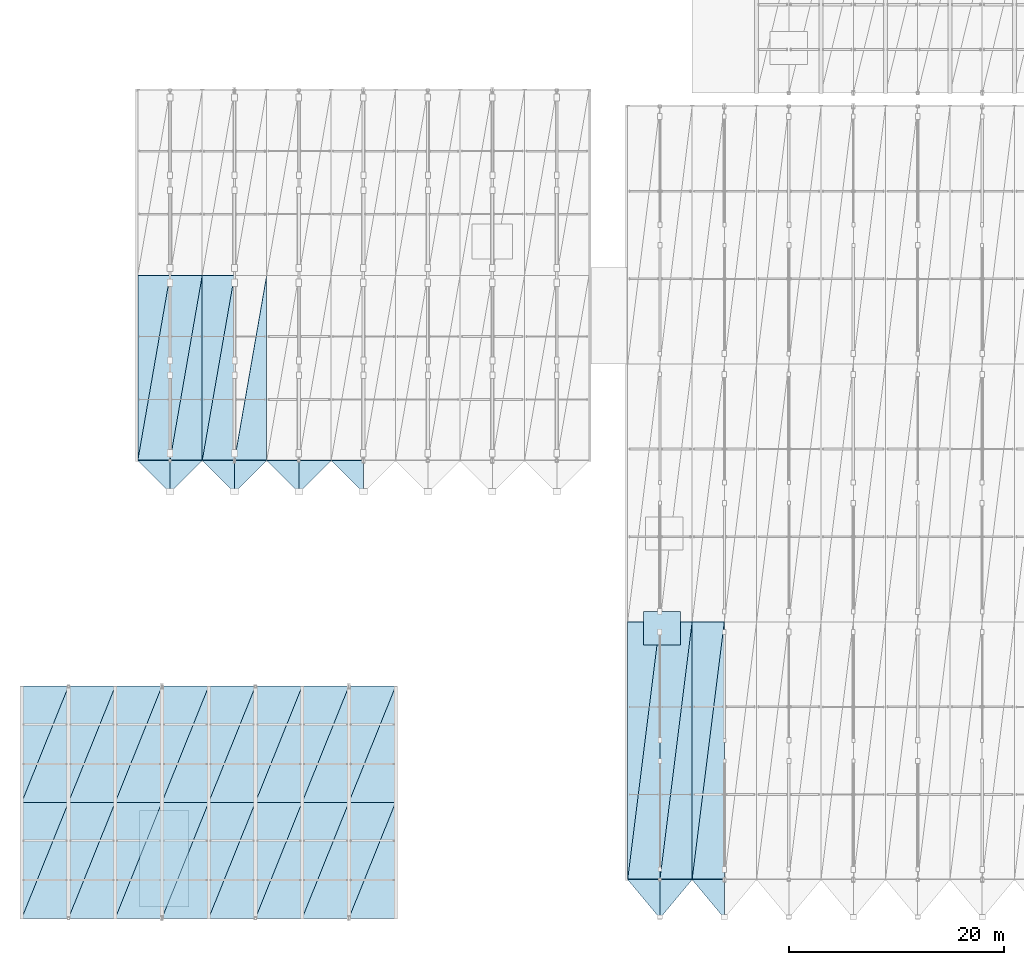
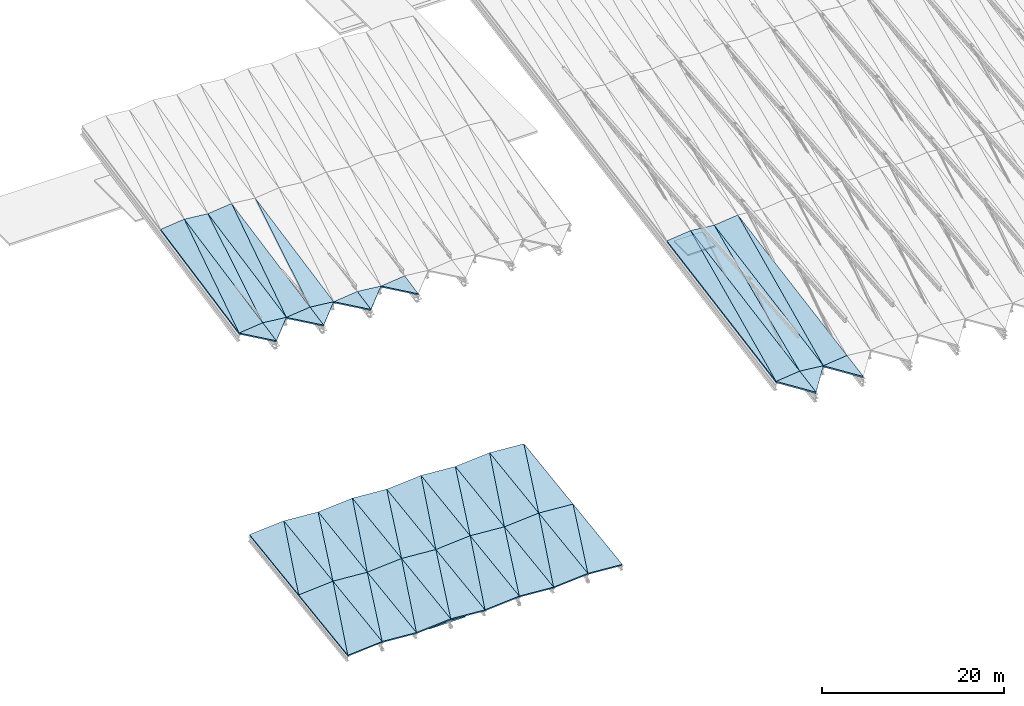
# One storey, part 18 of 52: 57 slabs.
"""IFC4 building model written with IfcOpenShell, lengths in metres."""

from ifc_helpers import new_model, si_unit, direction, frame, origin, place, context, subcontext, project, spatial, polyline, outline, extrude, material, layer, layer_set, type_object, element, save


model = new_model("IFC4")

# Units and contexts
model_context = context("Model", 3, precision=1e-05, world=origin(), true_north=direction((0.0, 1.0)))
body_context = subcontext(model_context, "Body", "Model", "MODEL_VIEW")
ifc_project = project(units=[si_unit("LENGTHUNIT", "METRE"), si_unit("AREAUNIT", "SQUARE_METRE"), si_unit("VOLUMEUNIT", "CUBIC_METRE"), si_unit("PLANEANGLEUNIT", "RADIAN"), si_unit("MASSUNIT", "GRAM", prefix="KILO")], contexts=[model_context])

# Site, building, storey
site_placement = place(None, origin())
site = spatial("IfcSite", under=ifc_project, at=site_placement, CompositionType="ELEMENT")
building_placement = place(site_placement, origin())
building = spatial("IfcBuilding", under=site, at=building_placement, Name="Vaelkrest Opera House", CompositionType="ELEMENT")
storey_placement = place(building_placement, frame((0.0, 0.0, 41.39990234375)))
storey = spatial("IfcBuildingStorey", under=building, at=storey_placement, Name="ROOF", CompositionType="ELEMENT", Elevation=41.39990234375)

# Slabs
ifc_material = material(Name="Concrete C40/50", Category="concrete")
ifc_layer_1 = layer(ifc_material, 0.235107421875)
ifc_layer_set_1 = layer_set([ifc_layer_1], Name="Concrete C40/50")
slab_type_1 = type_object("IfcSlabType", Name="RS01", PredefinedType="ROOF", material=ifc_layer_set_1)
slab_1_placement = place(storey_placement, frame((-30.0, -55.800048828125, -16.199951171875), z_axis=(-0.105708050026, -0.175125083638, 0.978854950052), x_axis=(0.638711635196, -0.766422775144, -0.068143795064)))
element("IfcSlab", 1, at=slab_1_placement, inside=storey, type_object=slab_type_1, Name="Sawtooth eave facet V1 bay 1W", PredefinedType="ROOF", context=body_context, shape_type="SweptSolid", body=[
    extrude(outline(polyline([(0.0, 0.0), (4.696955299833145, -8.326672684688674e-17), (1.8940580462015932, 2.3489367094791396), (0.0, 0.0)])), origin(), (0.0, 0.0, -1.0), 0.235107421875),
])
slab_2_placement = place(storey_placement, frame((-27.0, -55.800048828125, -15.8759765625), z_axis=(0.105708050026, -0.175125083638, 0.978854950052), x_axis=(0.0, -0.984370170934, -0.176111801351)))
element("IfcSlab", 2, at=slab_2_placement, inside=storey, type_object=slab_type_1, Name="Sawtooth eave facet V1 bay 1E", PredefinedType="ROOF", context=body_context, shape_type="SweptSolid", body=[
    extrude(outline(polyline([(0.0, 0.0), (3.657011987887651, 0.0), (0.05705575204909795, 3.0169030790991282), (0.0, 0.0)])), origin(), (0.0, 0.0, -1.0), 0.235107421875),
])
slab_3_placement = place(storey_placement, frame((-30.0, -55.800048828125, -16.199951171875), z_axis=(-0.105709410569, -0.175053827978, 0.978867548664), x_axis=(0.994219425712, 0.0, 0.107367283359)))
element("IfcSlab", 3, at=slab_3_placement, inside=storey, type_object=slab_type_1, Name="Pleated roof facet V1 1-1WL", PredefinedType="ROOF", context=body_context, shape_type="SweptSolid", body=[
    extrude(outline(polyline([(0.0, 0.0), (3.0174425508234095, 0.0), (3.4782620921950986, 24.376399288817268), (0.0, 0.0)])), origin(), (0.0, 0.0, -1.0), 0.235107421875),
])
slab_4_placement = place(storey_placement, frame((-30.0, -55.800048828125, -16.199951171875), z_axis=(-0.105709410569, -0.175053827978, 0.978867548664), x_axis=(0.121835797394, 0.974686379149, 0.187463331813)))
element("IfcSlab", 4, at=slab_4_placement, inside=storey, type_object=slab_type_1, Name="Pleated roof facet V1 1-1WU", PredefinedType="ROOF", context=body_context, shape_type="SweptSolid", body=[
    extrude(outline(polyline([(0.0, 0.0), (24.623305007042667, 4.440892098500626e-16), (24.197064255165383, 2.9871856937523606), (0.0, 0.0)])), origin(), (0.0, 0.0, -1.0), 0.235107421875),
])
slab_5_placement = place(storey_placement, frame((-27.0, -55.800048828125, -15.8759765625), z_axis=(0.105709410569, -0.175053827978, 0.978867548664), x_axis=(0.994219425712, 0.0, -0.107367283359)))
element("IfcSlab", 5, at=slab_5_placement, inside=storey, type_object=slab_type_1, Name="Pleated roof facet V1 1-1EL", PredefinedType="ROOF", context=body_context, shape_type="SweptSolid", body=[
    extrude(outline(polyline([(0.0, 0.0), (3.0174425508234095, 0.0), (2.55662300945172, 24.376399288817264), (0.0, 0.0)])), origin(), (0.0, 0.0, -1.0), 0.235107421875),
])
slab_6_placement = place(storey_placement, frame((-27.0, -55.800048828125, -15.8759765625), z_axis=(0.105709410569, -0.175053827978, 0.978867548664), x_axis=(0.122398504974, 0.979188039796, 0.161893139758)))
element("IfcSlab", 6, at=slab_6_placement, inside=storey, type_object=slab_type_1, Name="Pleated roof facet V1 1-1EU", PredefinedType="ROOF", context=body_context, shape_type="SweptSolid", body=[
    extrude(outline(polyline([(0.0, 0.0), (24.51010329436229, -3.3306690738754696e-16), (24.195357046152544, 3.0009822303301914), (0.0, 0.0)])), origin(), (0.0, 0.0, -1.0), 0.235107421875),
])
slab_7_placement = place(storey_placement, frame((-24.0, -55.800048828125, -16.199951171875), z_axis=(-0.105708050026, -0.175125083638, 0.978854950052), x_axis=(0.638711635196, -0.766422775144, -0.068143795064)))
element("IfcSlab", 7, at=slab_7_placement, inside=storey, type_object=slab_type_1, Name="Sawtooth eave facet V1 bay 2W", PredefinedType="ROOF", context=body_context, shape_type="SweptSolid", body=[
    extrude(outline(polyline([(0.0, 0.0), (4.696955299833145, -8.326672684688674e-17), (1.8940580462015932, 2.3489367094791396), (0.0, 0.0)])), origin(), (0.0, 0.0, -1.0), 0.235107421875),
])
slab_8_placement = place(storey_placement, frame((-24.0, -55.800048828125, -16.199951171875), z_axis=(-0.105709410569, -0.175053827978, 0.978867548664), x_axis=(0.994219425712, 0.0, 0.107367283359)))
element("IfcSlab", 8, at=slab_8_placement, inside=storey, type_object=slab_type_1, Name="Pleated roof facet V1 2-1WL", PredefinedType="ROOF", context=body_context, shape_type="SweptSolid", body=[
    extrude(outline(polyline([(0.0, 0.0), (3.0174425508234095, 0.0), (3.4782620921950986, 24.376399288817268), (0.0, 0.0)])), origin(), (0.0, 0.0, -1.0), 0.235107421875),
])
slab_9_placement = place(storey_placement, frame((-24.0, -55.800048828125, -16.199951171875), z_axis=(-0.105709410569, -0.175053827978, 0.978867548664), x_axis=(0.121835797394, 0.974686379149, 0.187463331813)))
element("IfcSlab", 9, at=slab_9_placement, inside=storey, type_object=slab_type_1, Name="Pleated roof facet V1 2-1WU", PredefinedType="ROOF", context=body_context, shape_type="SweptSolid", body=[
    extrude(outline(polyline([(0.0, 0.0), (24.623305007042667, 4.440892098500626e-16), (24.197064255165383, 2.9871856937523606), (0.0, 0.0)])), origin(), (0.0, 0.0, -1.0), 0.235107421875),
])
ifc_layer_2 = layer(ifc_material, 0.215087890625)
ifc_layer_set_2 = layer_set([ifc_layer_2], Name="Concrete C40/50")
slab_type_2 = type_object("IfcSlabType", Name="RS02", PredefinedType="ROOF", material=ifc_layer_set_2)
slab_10_placement = place(storey_placement, frame((-75.60009765625, -16.800048828125, -17.39990234375), z_axis=(-0.105319624978, -0.194369074281, 0.97525813996), x_axis=(0.70563753999, -0.70563753999, -0.064430771474)))
element("IfcSlab", 10, at=slab_10_placement, inside=storey, type_object=slab_type_2, Name="Sawtooth eave facet V3 bay 1W", PredefinedType="ROOF", context=body_context, shape_type="SweptSolid", body=[
    extrude(outline(polyline([(0.0, 0.0), (4.251474489354655, -2.8449465006019636e-16), (2.0960386859511555, 2.170617740302479), (0.0, 0.0)])), origin(), (0.0, 0.0, -1.0), 0.215087890625),
])
slab_11_placement = place(storey_placement, frame((-72.60009765625, -16.800048828125, -17.075927734375), z_axis=(0.105319624978, -0.194369074281, 0.97525813996), x_axis=(0.0, -0.980712448023, -0.195456118588)))
element("IfcSlab", 11, at=slab_11_placement, inside=storey, type_object=slab_type_2, Name="Sawtooth eave facet V3 bay 1E", PredefinedType="ROOF", context=body_context, shape_type="SweptSolid", body=[
    extrude(outline(polyline([(0.0, 0.0), (3.059000633721662, -6.938893903907228e-18), (0.06332281966945137, 3.016778044210213), (0.0, 0.0)])), origin(), (0.0, 0.0, -1.0), 0.215087890625),
])
slab_12_placement = place(storey_placement, frame((-75.60009765625, -16.800048828125, -17.39990234375), z_axis=(-0.105319554338, -0.194372394638, 0.975257485835), x_axis=(0.994219425712, 0.0, 0.107367283359)))
element("IfcSlab", 12, at=slab_12_placement, inside=storey, type_object=slab_type_2, Name="Pleated roof facet V3 1-1WL", PredefinedType="ROOF", context=body_context, shape_type="SweptSolid", body=[
    extrude(outline(polyline([(0.0, 0.0), (3.0174425508234095, 1.3877787807814457e-17), (3.3865700128027116, 17.585391901769633), (0.0, 0.0)])), origin(), (0.0, 0.0, -1.0), 0.215087890625),
])
slab_13_placement = place(storey_placement, frame((-75.60009765625, -16.800048828125, -17.39990234375), z_axis=(-0.105319554338, -0.194372394638, 0.975257485835), x_axis=(0.167518088972, 0.963229011591, 0.210065611408)))
element("IfcSlab", 13, at=slab_13_placement, inside=storey, type_object=slab_type_2, Name="Pleated roof facet V3 1-1WU", PredefinedType="ROOF", context=body_context, shape_type="SweptSolid", body=[
    extrude(outline(polyline([(0.0, 0.0), (17.90851375157748, 1.1102230246251565e-16), (17.337903560261445, 2.962999081519595), (0.0, 0.0)])), origin(), (0.0, 0.0, -1.0), 0.215087890625),
])
slab_14_placement = place(storey_placement, frame((-72.60009765625, -16.800048828125, -17.075927734375), z_axis=(0.105319554338, -0.194372394638, 0.975257485835), x_axis=(0.994219425712, 0.0, -0.107367283359)))
element("IfcSlab", 14, at=slab_14_placement, inside=storey, type_object=slab_type_2, Name="Pleated roof facet V3 1-1EL", PredefinedType="ROOF", context=body_context, shape_type="SweptSolid", body=[
    extrude(outline(polyline([(0.0, 0.0), (3.0174425508234095, -1.3877787807814457e-17), (2.6483150888441074, 17.585391901769633), (0.0, 0.0)])), origin(), (0.0, 0.0, -1.0), 0.215087890625),
])
slab_15_placement = place(storey_placement, frame((-72.60009765625, -16.800048828125, -17.075927734375), z_axis=(0.105319554338, -0.194372394638, 0.975257485835), x_axis=(0.168693911768, 0.969989992668, 0.175105049203)))
element("IfcSlab", 15, at=slab_15_placement, inside=storey, type_object=slab_type_2, Name="Pleated roof facet V3 1-1EU", PredefinedType="ROOF", context=body_context, shape_type="SweptSolid", body=[
    extrude(outline(polyline([(0.0, 0.0), (17.78368862605912, -1.1102230246251565e-16), (17.334336480669204, 2.9837966078392753), (0.0, 0.0)])), origin(), (0.0, 0.0, -1.0), 0.215087890625),
])
slab_16_placement = place(storey_placement, frame((-69.60009765625, -16.800048828125, -17.39990234375), z_axis=(-0.105319624978, -0.194369074281, 0.97525813996), x_axis=(0.70563753999, -0.70563753999, -0.064430771474)))
element("IfcSlab", 16, at=slab_16_placement, inside=storey, type_object=slab_type_2, Name="Sawtooth eave facet V3 bay 2W", PredefinedType="ROOF", context=body_context, shape_type="SweptSolid", body=[
    extrude(outline(polyline([(0.0, 0.0), (4.251474489354655, -2.8449465006019636e-16), (2.0960386859511555, 2.170617740302479), (0.0, 0.0)])), origin(), (0.0, 0.0, -1.0), 0.215087890625),
])
slab_17_placement = place(storey_placement, frame((-66.60009765625, -16.800048828125, -17.075927734375), z_axis=(0.105319624978, -0.194369074281, 0.97525813996), x_axis=(0.0, -0.980712448023, -0.195456118588)))
element("IfcSlab", 17, at=slab_17_placement, inside=storey, type_object=slab_type_2, Name="Sawtooth eave facet V3 bay 2E", PredefinedType="ROOF", context=body_context, shape_type="SweptSolid", body=[
    extrude(outline(polyline([(0.0, 0.0), (3.059000633721662, -6.938893903907228e-18), (0.06332281966945137, 3.016778044210213), (0.0, 0.0)])), origin(), (0.0, 0.0, -1.0), 0.215087890625),
])
slab_18_placement = place(storey_placement, frame((-69.60009765625, -16.800048828125, -17.39990234375), z_axis=(-0.105319554338, -0.194372394638, 0.975257485835), x_axis=(0.994219425712, 0.0, 0.107367283359)))
element("IfcSlab", 18, at=slab_18_placement, inside=storey, type_object=slab_type_2, Name="Pleated roof facet V3 2-1WL", PredefinedType="ROOF", context=body_context, shape_type="SweptSolid", body=[
    extrude(outline(polyline([(0.0, 0.0), (3.0174425508234095, 1.3877787807814457e-17), (3.3865700128027116, 17.585391901769633), (0.0, 0.0)])), origin(), (0.0, 0.0, -1.0), 0.215087890625),
])
slab_19_placement = place(storey_placement, frame((-69.60009765625, -16.800048828125, -17.39990234375), z_axis=(-0.105319554338, -0.194372394638, 0.975257485835), x_axis=(0.167518088972, 0.963229011591, 0.210065611408)))
element("IfcSlab", 19, at=slab_19_placement, inside=storey, type_object=slab_type_2, Name="Pleated roof facet V3 2-1WU", PredefinedType="ROOF", context=body_context, shape_type="SweptSolid", body=[
    extrude(outline(polyline([(0.0, 0.0), (17.90851375157748, 1.1102230246251565e-16), (17.337903560261445, 2.962999081519595), (0.0, 0.0)])), origin(), (0.0, 0.0, -1.0), 0.215087890625),
])
slab_20_placement = place(storey_placement, frame((-66.60009765625, -16.800048828125, -17.075927734375), z_axis=(0.105319554338, -0.194372394638, 0.975257485835), x_axis=(0.994219425712, 0.0, -0.107367283359)))
element("IfcSlab", 20, at=slab_20_placement, inside=storey, type_object=slab_type_2, Name="Pleated roof facet V3 2-1EL", PredefinedType="ROOF", context=body_context, shape_type="SweptSolid", body=[
    extrude(outline(polyline([(0.0, 0.0), (3.0174425508234095, -1.3877787807814457e-17), (2.6483150888441074, 17.585391901769633), (0.0, 0.0)])), origin(), (0.0, 0.0, -1.0), 0.215087890625),
])
slab_21_placement = place(storey_placement, frame((-63.60009765625, -16.800048828125, -17.39990234375), z_axis=(-0.105319624978, -0.194369074281, 0.97525813996), x_axis=(0.70563753999, -0.70563753999, -0.064430771474)))
element("IfcSlab", 21, at=slab_21_placement, inside=storey, type_object=slab_type_2, Name="Sawtooth eave facet V3 bay 3W", PredefinedType="ROOF", context=body_context, shape_type="SweptSolid", body=[
    extrude(outline(polyline([(0.0, 0.0), (4.251474489354655, -2.8449465006019636e-16), (2.0960386859511555, 2.170617740302479), (0.0, 0.0)])), origin(), (0.0, 0.0, -1.0), 0.215087890625),
])
slab_22_placement = place(storey_placement, frame((-60.60009765625, -16.800048828125, -17.075927734375), z_axis=(0.105319624978, -0.194369074281, 0.97525813996), x_axis=(0.0, -0.980712448023, -0.195456118588)))
element("IfcSlab", 22, at=slab_22_placement, inside=storey, type_object=slab_type_2, Name="Sawtooth eave facet V3 bay 3E", PredefinedType="ROOF", context=body_context, shape_type="SweptSolid", body=[
    extrude(outline(polyline([(0.0, 0.0), (3.059000633721662, -6.938893903907228e-18), (0.06332281966945137, 3.016778044210213), (0.0, 0.0)])), origin(), (0.0, 0.0, -1.0), 0.215087890625),
])
slab_23_placement = place(storey_placement, frame((-57.60009765625, -16.800048828125, -17.39990234375), z_axis=(-0.105319624978, -0.194369074281, 0.97525813996), x_axis=(0.70563753999, -0.70563753999, -0.064430771474)))
element("IfcSlab", 23, at=slab_23_placement, inside=storey, type_object=slab_type_2, Name="Sawtooth eave facet V3 bay 4W", PredefinedType="ROOF", context=body_context, shape_type="SweptSolid", body=[
    extrude(outline(polyline([(0.0, 0.0), (4.251474489354655, -2.8449465006019636e-16), (2.0960386859511555, 2.170617740302479), (0.0, 0.0)])), origin(), (0.0, 0.0, -1.0), 0.215087890625),
])
ifc_layer_3 = layer(ifc_material, 0.179931640625)
ifc_layer_set_3 = layer_set([ifc_layer_3], Name="Concrete C40/50")
slab_type_3 = type_object("IfcSlabType", Name="RS04", PredefinedType="ROOF", material=ifc_layer_set_3)
slab_24_placement = place(storey_placement, frame((-86.39990234375, -59.39990234375, -31.0), z_axis=(-0.072652010511, -0.140797635234, 0.987369085642), x_axis=(0.997303831296, 0.0, 0.073383023114)))
element("IfcSlab", 24, at=slab_24_placement, inside=storey, type_object=slab_type_3, Name="Pleated roof facet V5 1-1WL", PredefinedType="ROOF", context=body_context, shape_type="SweptSolid", body=[
    extrude(outline(polyline([(0.0, 0.0), (4.361613160525378, -6.938893903907228e-18), (4.474625882645928, 10.908470549385546), (0.0, 0.0)])), origin(), (0.0, 0.0, -1.0), 0.179931640625),
])
slab_25_placement = place(storey_placement, frame((-86.39990234375, -59.39990234375, -31.0), z_axis=(-0.072652010511, -0.140797635234, 0.987369085642), x_axis=(0.368927191515, 0.915971445465, 0.157762601569)))
element("IfcSlab", 25, at=slab_25_placement, inside=storey, type_object=slab_type_3, Name="Pleated roof facet V5 1-1WU", PredefinedType="ROOF", context=body_context, shape_type="SweptSolid", body=[
    extrude(outline(polyline([(0.0, 0.0), (11.790547337441827, 8.326672684688674e-17), (10.135273279366553, 4.035311283498609), (0.0, 0.0)])), origin(), (0.0, 0.0, -1.0), 0.179931640625),
])
slab_26_placement = place(storey_placement, frame((-82.050048828125, -59.39990234375, -30.679931640625), z_axis=(0.072647954581, -0.140797676942, 0.987369378127), x_axis=(0.9973041327, 0.0, -0.073378926814)))
element("IfcSlab", 26, at=slab_26_placement, inside=storey, type_object=slab_type_3, Name="Pleated roof facet V5 1-1EL", PredefinedType="ROOF", context=body_context, shape_type="SweptSolid", body=[
    extrude(outline(polyline([(0.0, 0.0), (4.361856642942859, 6.938893903907228e-18), (4.248850229285205, 10.908470614739954), (0.0, 0.0)])), origin(), (0.0, 0.0, -1.0), 0.179931640625),
])
slab_27_placement = place(storey_placement, frame((-82.050048828125, -59.39990234375, -30.679931640625), z_axis=(0.072647954581, -0.140797676942, 0.987369378127), x_axis=(0.371589567145, 0.922529806502, 0.104211082446)))
element("IfcSlab", 27, at=slab_27_placement, inside=storey, type_object=slab_type_3, Name="Pleated roof facet V5 1-1EU", PredefinedType="ROOF", context=body_context, shape_type="SweptSolid", body=[
    extrude(outline(polyline([(0.0, 0.0), (11.70672710126712, 4.440892098500626e-16), (10.123630866327895, 4.0644310406877375), (0.0, 0.0)])), origin(), (0.0, 0.0, -1.0), 0.179931640625),
])
slab_28_placement = place(storey_placement, frame((-86.39990234375, -48.60009765625, -29.4599609375), z_axis=(-0.072652043068, -0.140794515526, 0.987369528108), x_axis=(0.997303831296, 0.0, 0.073383023114)))
element("IfcSlab", 28, at=slab_28_placement, inside=storey, type_object=slab_type_3, Name="Pleated roof facet V5 1-2WL", PredefinedType="ROOF", context=body_context, shape_type="SweptSolid", body=[
    extrude(outline(polyline([(0.0, 0.0), (4.361613160525378, -6.938893903907228e-18), (4.474625882645928, 10.908712258032521), (0.0, 0.0)])), origin(), (0.0, 0.0, -1.0), 0.179931640625),
])
slab_29_placement = place(storey_placement, frame((-86.39990234375, -48.60009765625, -29.4599609375), z_axis=(-0.072652043068, -0.140794515526, 0.987369528108), x_axis=(0.368920194364, 0.915974779036, 0.15775960941)))
element("IfcSlab", 29, at=slab_29_placement, inside=storey, type_object=slab_type_3, Name="Pleated roof facet V5 1-2WU", PredefinedType="ROOF", context=body_context, shape_type="SweptSolid", body=[
    extrude(outline(polyline([(0.0, 0.0), (11.79077096368994, 1.0998146837692957e-15), (10.135528299891456, 4.035324161205575), (0.0, 0.0)])), origin(), (0.0, 0.0, -1.0), 0.179931640625),
])
slab_30_placement = place(storey_placement, frame((-82.050048828125, -48.60009765625, -29.139892578125), z_axis=(0.072647987136, -0.140794557233, 0.987369820593), x_axis=(0.9973041327, 0.0, -0.073378926814)))
element("IfcSlab", 30, at=slab_30_placement, inside=storey, type_object=slab_type_3, Name="Pleated roof facet V5 1-2EL", PredefinedType="ROOF", context=body_context, shape_type="SweptSolid", body=[
    extrude(outline(polyline([(0.0, 0.0), (4.361856642942859, 0.0), (4.248850229285205, 10.908712323385483), (0.0, 0.0)])), origin(), (0.0, 0.0, -1.0), 0.179931640625),
])
slab_31_placement = place(storey_placement, frame((-82.050048828125, -48.60009765625, -29.139892578125), z_axis=(0.072647987136, -0.140794557233, 0.987369820593), x_axis=(0.371582418219, 0.922532912489, 0.104209077553)))
element("IfcSlab", 31, at=slab_31_placement, inside=storey, type_object=slab_type_3, Name="Pleated roof facet V5 1-2EU", PredefinedType="ROOF", context=body_context, shape_type="SweptSolid", body=[
    extrude(outline(polyline([(0.0, 0.0), (11.70695232864981, 3.0531133177191805e-16), (10.123886550537566, 4.064442903493002), (0.0, 0.0)])), origin(), (0.0, 0.0, -1.0), 0.179931640625),
])
slab_32_placement = place(storey_placement, frame((-77.699951171875, -59.39990234375, -31.0), z_axis=(-0.072652010511, -0.140797635234, 0.987369085642), x_axis=(0.997303831296, 0.0, 0.073383023114)))
element("IfcSlab", 32, at=slab_32_placement, inside=storey, type_object=slab_type_3, Name="Pleated roof facet V5 2-1WL", PredefinedType="ROOF", context=body_context, shape_type="SweptSolid", body=[
    extrude(outline(polyline([(0.0, 0.0), (4.361613160525378, -6.938893903907228e-18), (4.474625882645928, 10.908470549385546), (0.0, 0.0)])), origin(), (0.0, 0.0, -1.0), 0.179931640625),
])
slab_33_placement = place(storey_placement, frame((-77.699951171875, -59.39990234375, -31.0), z_axis=(-0.072652010511, -0.140797635234, 0.987369085642), x_axis=(0.368927191515, 0.915971445465, 0.157762601569)))
element("IfcSlab", 33, at=slab_33_placement, inside=storey, type_object=slab_type_3, Name="Pleated roof facet V5 2-1WU", PredefinedType="ROOF", context=body_context, shape_type="SweptSolid", body=[
    extrude(outline(polyline([(0.0, 0.0), (11.790547337441827, 8.326672684688674e-17), (10.135273279366553, 4.035311283498609), (0.0, 0.0)])), origin(), (0.0, 0.0, -1.0), 0.179931640625),
])
slab_34_placement = place(storey_placement, frame((-73.35009765625, -59.39990234375, -30.679931640625), z_axis=(0.072647954581, -0.140797676942, 0.987369378127), x_axis=(0.9973041327, 0.0, -0.073378926814)))
element("IfcSlab", 34, at=slab_34_placement, inside=storey, type_object=slab_type_3, Name="Pleated roof facet V5 2-1EL", PredefinedType="ROOF", context=body_context, shape_type="SweptSolid", body=[
    extrude(outline(polyline([(0.0, 0.0), (4.361856642942859, 6.938893903907228e-18), (4.248850229285205, 10.908470614739954), (0.0, 0.0)])), origin(), (0.0, 0.0, -1.0), 0.179931640625),
])
slab_35_placement = place(storey_placement, frame((-73.35009765625, -59.39990234375, -30.679931640625), z_axis=(0.072647954581, -0.140797676942, 0.987369378127), x_axis=(0.371589567145, 0.922529806502, 0.104211082446)))
element("IfcSlab", 35, at=slab_35_placement, inside=storey, type_object=slab_type_3, Name="Pleated roof facet V5 2-1EU", PredefinedType="ROOF", context=body_context, shape_type="SweptSolid", body=[
    extrude(outline(polyline([(0.0, 0.0), (11.70672710126712, 4.440892098500626e-16), (10.123630866327895, 4.0644310406877375), (0.0, 0.0)])), origin(), (0.0, 0.0, -1.0), 0.179931640625),
])
slab_36_placement = place(storey_placement, frame((-77.699951171875, -48.60009765625, -29.4599609375), z_axis=(-0.072652043068, -0.140794515526, 0.987369528108), x_axis=(0.997303831296, 0.0, 0.073383023114)))
element("IfcSlab", 36, at=slab_36_placement, inside=storey, type_object=slab_type_3, Name="Pleated roof facet V5 2-2WL", PredefinedType="ROOF", context=body_context, shape_type="SweptSolid", body=[
    extrude(outline(polyline([(0.0, 0.0), (4.361613160525378, -6.938893903907228e-18), (4.474625882645928, 10.908712258032521), (0.0, 0.0)])), origin(), (0.0, 0.0, -1.0), 0.179931640625),
])
slab_37_placement = place(storey_placement, frame((-77.699951171875, -48.60009765625, -29.4599609375), z_axis=(-0.072652043068, -0.140794515526, 0.987369528108), x_axis=(0.368920194364, 0.915974779036, 0.15775960941)))
element("IfcSlab", 37, at=slab_37_placement, inside=storey, type_object=slab_type_3, Name="Pleated roof facet V5 2-2WU", PredefinedType="ROOF", context=body_context, shape_type="SweptSolid", body=[
    extrude(outline(polyline([(0.0, 0.0), (11.79077096368994, 1.0998146837692957e-15), (10.135528299891456, 4.035324161205575), (0.0, 0.0)])), origin(), (0.0, 0.0, -1.0), 0.179931640625),
])
slab_38_placement = place(storey_placement, frame((-73.35009765625, -48.60009765625, -29.139892578125), z_axis=(0.072647987136, -0.140794557233, 0.987369820593), x_axis=(0.9973041327, 0.0, -0.073378926814)))
element("IfcSlab", 38, at=slab_38_placement, inside=storey, type_object=slab_type_3, Name="Pleated roof facet V5 2-2EL", PredefinedType="ROOF", context=body_context, shape_type="SweptSolid", body=[
    extrude(outline(polyline([(0.0, 0.0), (4.361856642942859, 0.0), (4.248850229285205, 10.908712323385483), (0.0, 0.0)])), origin(), (0.0, 0.0, -1.0), 0.179931640625),
])
slab_39_placement = place(storey_placement, frame((-73.35009765625, -48.60009765625, -29.139892578125), z_axis=(0.072647987136, -0.140794557233, 0.987369820593), x_axis=(0.371582418219, 0.922532912489, 0.104209077553)))
element("IfcSlab", 39, at=slab_39_placement, inside=storey, type_object=slab_type_3, Name="Pleated roof facet V5 2-2EU", PredefinedType="ROOF", context=body_context, shape_type="SweptSolid", body=[
    extrude(outline(polyline([(0.0, 0.0), (11.70695232864981, 3.0531133177191805e-16), (10.123886550537566, 4.064442903493002), (0.0, 0.0)])), origin(), (0.0, 0.0, -1.0), 0.179931640625),
])
slab_40_placement = place(storey_placement, frame((-69.0, -59.39990234375, -31.0), z_axis=(-0.072647954581, -0.140797676942, 0.987369378127), x_axis=(0.9973041327, 0.0, 0.073378926814)))
element("IfcSlab", 40, at=slab_40_placement, inside=storey, type_object=slab_type_3, Name="Pleated roof facet V5 3-1WL", PredefinedType="ROOF", context=body_context, shape_type="SweptSolid", body=[
    extrude(outline(polyline([(0.0, 0.0), (4.361856642942859, -6.938893903907228e-18), (4.474863056600514, 10.908470614739956), (0.0, 0.0)])), origin(), (0.0, 0.0, -1.0), 0.179931640625),
])
slab_41_placement = place(storey_placement, frame((-69.0, -59.39990234375, -31.0), z_axis=(-0.072647954581, -0.140797676942, 0.987369378127), x_axis=(0.368945079479, 0.915964448078, 0.157761396372)))
element("IfcSlab", 41, at=slab_41_placement, inside=storey, type_object=slab_type_3, Name="Pleated roof facet V5 3-1WU", PredefinedType="ROOF", context=body_context, shape_type="SweptSolid", body=[
    extrude(outline(polyline([(0.0, 0.0), (11.790637409740542, -9.055256544598933e-16), (10.135195852902603, 4.035505745935536), (0.0, 0.0)])), origin(), (0.0, 0.0, -1.0), 0.179931640625),
])
slab_42_placement = place(storey_placement, frame((-64.64990234375, -59.39990234375, -30.679931640625), z_axis=(0.072652010511, -0.140797635234, 0.987369085642), x_axis=(0.997303831296, 0.0, -0.073383023114)))
element("IfcSlab", 42, at=slab_42_placement, inside=storey, type_object=slab_type_3, Name="Pleated roof facet V5 3-1EL", PredefinedType="ROOF", context=body_context, shape_type="SweptSolid", body=[
    extrude(outline(polyline([(0.0, 0.0), (4.361613160525378, 6.938893903907228e-18), (4.248600438404829, 10.908470549385545), (0.0, 0.0)])), origin(), (0.0, 0.0, -1.0), 0.179931640625),
])
slab_43_placement = place(storey_placement, frame((-64.64990234375, -59.39990234375, -30.679931640625), z_axis=(0.072652010511, -0.140797635234, 0.987369085642), x_axis=(0.371571591803, 0.922536955437, 0.104211890006)))
element("IfcSlab", 43, at=slab_43_placement, inside=storey, type_object=slab_type_3, Name="Pleated roof facet V5 3-1EU", PredefinedType="ROOF", context=body_context, shape_type="SweptSolid", body=[
    extrude(outline(polyline([(0.0, 0.0), (11.7066363833522, 4.996003610813204e-16), (10.123709317101756, 4.064235631087345), (0.0, 0.0)])), origin(), (0.0, 0.0, -1.0), 0.179931640625),
])
slab_44_placement = place(storey_placement, frame((-69.0, -48.60009765625, -29.4599609375), z_axis=(-0.072647987136, -0.140794557233, 0.987369820593), x_axis=(0.9973041327, 0.0, 0.073378926814)))
element("IfcSlab", 44, at=slab_44_placement, inside=storey, type_object=slab_type_3, Name="Pleated roof facet V5 3-2WL", PredefinedType="ROOF", context=body_context, shape_type="SweptSolid", body=[
    extrude(outline(polyline([(0.0, 0.0), (4.361856642942859, 0.0), (4.474863056600514, 10.908712323385483), (0.0, 0.0)])), origin(), (0.0, 0.0, -1.0), 0.179931640625),
])
slab_45_placement = place(storey_placement, frame((-69.0, -48.60009765625, -29.4599609375), z_axis=(-0.072647987136, -0.140794557233, 0.987369820593), x_axis=(0.368938082096, 0.915967781888, 0.157758404282)))
element("IfcSlab", 45, at=slab_45_placement, inside=storey, type_object=slab_type_3, Name="Pleated roof facet V5 3-2WU", PredefinedType="ROOF", context=body_context, shape_type="SweptSolid", body=[
    extrude(outline(polyline([(0.0, 0.0), (11.79086103428034, -6.696032617270475e-16), (10.135450874416312, 4.035518625431397), (0.0, 0.0)])), origin(), (0.0, 0.0, -1.0), 0.179931640625),
])
slab_46_placement = place(storey_placement, frame((-64.64990234375, -48.60009765625, -29.139892578125), z_axis=(0.072652043068, -0.140794515526, 0.987369528108), x_axis=(0.997303831296, 0.0, -0.073383023114)))
element("IfcSlab", 46, at=slab_46_placement, inside=storey, type_object=slab_type_3, Name="Pleated roof facet V5 3-2EL", PredefinedType="ROOF", context=body_context, shape_type="SweptSolid", body=[
    extrude(outline(polyline([(0.0, 0.0), (4.361613160525378, 6.938893903907228e-18), (4.248600438404829, 10.90871225803252), (0.0, 0.0)])), origin(), (0.0, 0.0, -1.0), 0.179931640625),
])
slab_47_placement = place(storey_placement, frame((-64.64990234375, -48.60009765625, -29.139892578125), z_axis=(0.072652043068, -0.140794515526, 0.987369528108), x_axis=(0.371564443112, 0.922540061173, 0.104209885066)))
element("IfcSlab", 47, at=slab_47_placement, inside=storey, type_object=slab_type_3, Name="Pleated roof facet V5 3-2EU", PredefinedType="ROOF", context=body_context, shape_type="SweptSolid", body=[
    extrude(outline(polyline([(0.0, 0.0), (11.706861612480207, 9.43689570931383e-16), (10.123965000274122, 4.064247492111508), (0.0, 0.0)])), origin(), (0.0, 0.0, -1.0), 0.179931640625),
])
slab_48_placement = place(storey_placement, frame((-60.300048828125, -59.39990234375, -31.0), z_axis=(-0.072647954581, -0.140797676942, 0.987369378127), x_axis=(0.9973041327, 0.0, 0.073378926814)))
element("IfcSlab", 48, at=slab_48_placement, inside=storey, type_object=slab_type_3, Name="Pleated roof facet V5 4-1WL", PredefinedType="ROOF", context=body_context, shape_type="SweptSolid", body=[
    extrude(outline(polyline([(0.0, 0.0), (4.361856642942859, -6.938893903907228e-18), (4.474863056600514, 10.908470614739956), (0.0, 0.0)])), origin(), (0.0, 0.0, -1.0), 0.179931640625),
])
slab_49_placement = place(storey_placement, frame((-60.300048828125, -59.39990234375, -31.0), z_axis=(-0.072647954581, -0.140797676942, 0.987369378127), x_axis=(0.368945079479, 0.915964448078, 0.157761396372)))
element("IfcSlab", 49, at=slab_49_placement, inside=storey, type_object=slab_type_3, Name="Pleated roof facet V5 4-1WU", PredefinedType="ROOF", context=body_context, shape_type="SweptSolid", body=[
    extrude(outline(polyline([(0.0, 0.0), (11.790637409740542, -9.055256544598933e-16), (10.135195852902603, 4.035505745935536), (0.0, 0.0)])), origin(), (0.0, 0.0, -1.0), 0.179931640625),
])
slab_50_placement = place(storey_placement, frame((-55.949951171875, -59.39990234375, -30.679931640625), z_axis=(0.072652010511, -0.140797635234, 0.987369085642), x_axis=(0.997303831296, 0.0, -0.073383023114)))
element("IfcSlab", 50, at=slab_50_placement, inside=storey, type_object=slab_type_3, Name="Pleated roof facet V5 4-1EL", PredefinedType="ROOF", context=body_context, shape_type="SweptSolid", body=[
    extrude(outline(polyline([(0.0, 0.0), (4.361613160525378, 6.938893903907228e-18), (4.248600438404829, 10.908470549385545), (0.0, 0.0)])), origin(), (0.0, 0.0, -1.0), 0.179931640625),
])
slab_51_placement = place(storey_placement, frame((-55.949951171875, -59.39990234375, -30.679931640625), z_axis=(0.072652010511, -0.140797635234, 0.987369085642), x_axis=(0.371571591803, 0.922536955437, 0.104211890006)))
element("IfcSlab", 51, at=slab_51_placement, inside=storey, type_object=slab_type_3, Name="Pleated roof facet V5 4-1EU", PredefinedType="ROOF", context=body_context, shape_type="SweptSolid", body=[
    extrude(outline(polyline([(0.0, 0.0), (11.7066363833522, 4.996003610813204e-16), (10.123709317101756, 4.064235631087345), (0.0, 0.0)])), origin(), (0.0, 0.0, -1.0), 0.179931640625),
])
slab_52_placement = place(storey_placement, frame((-60.300048828125, -48.60009765625, -29.4599609375), z_axis=(-0.072647987136, -0.140794557233, 0.987369820593), x_axis=(0.9973041327, 0.0, 0.073378926814)))
element("IfcSlab", 52, at=slab_52_placement, inside=storey, type_object=slab_type_3, Name="Pleated roof facet V5 4-2WL", PredefinedType="ROOF", context=body_context, shape_type="SweptSolid", body=[
    extrude(outline(polyline([(0.0, 0.0), (4.361856642942859, 0.0), (4.474863056600514, 10.908712323385483), (0.0, 0.0)])), origin(), (0.0, 0.0, -1.0), 0.179931640625),
])
slab_53_placement = place(storey_placement, frame((-60.300048828125, -48.60009765625, -29.4599609375), z_axis=(-0.072647987136, -0.140794557233, 0.987369820593), x_axis=(0.368938082096, 0.915967781888, 0.157758404282)))
element("IfcSlab", 53, at=slab_53_placement, inside=storey, type_object=slab_type_3, Name="Pleated roof facet V5 4-2WU", PredefinedType="ROOF", context=body_context, shape_type="SweptSolid", body=[
    extrude(outline(polyline([(0.0, 0.0), (11.79086103428034, -6.696032617270475e-16), (10.135450874416312, 4.035518625431397), (0.0, 0.0)])), origin(), (0.0, 0.0, -1.0), 0.179931640625),
])
slab_54_placement = place(storey_placement, frame((-55.949951171875, -48.60009765625, -29.139892578125), z_axis=(0.072652043068, -0.140794515526, 0.987369528108), x_axis=(0.997303831296, 0.0, -0.073383023114)))
element("IfcSlab", 54, at=slab_54_placement, inside=storey, type_object=slab_type_3, Name="Pleated roof facet V5 4-2EL", PredefinedType="ROOF", context=body_context, shape_type="SweptSolid", body=[
    extrude(outline(polyline([(0.0, 0.0), (4.361613160525378, 6.938893903907228e-18), (4.248600438404829, 10.90871225803252), (0.0, 0.0)])), origin(), (0.0, 0.0, -1.0), 0.179931640625),
])
slab_55_placement = place(storey_placement, frame((-55.949951171875, -48.60009765625, -29.139892578125), z_axis=(0.072652043068, -0.140794515526, 0.987369528108), x_axis=(0.371564443112, 0.922540061173, 0.104209885066)))
element("IfcSlab", 55, at=slab_55_placement, inside=storey, type_object=slab_type_3, Name="Pleated roof facet V5 4-2EU", PredefinedType="ROOF", context=body_context, shape_type="SweptSolid", body=[
    extrude(outline(polyline([(0.0, 0.0), (11.706861612480207, 9.43689570931383e-16), (10.123965000274122, 4.064247492111508), (0.0, 0.0)])), origin(), (0.0, 0.0, -1.0), 0.179931640625),
])
ifc_layer_4 = layer(ifc_material, 0.205078125)
ifc_layer_set_4 = layer_set([ifc_layer_4], Name="Concrete C40/50")
slab_type_4 = type_object("IfcSlabType", Name="RS06", PredefinedType="ROOF", material=ifc_layer_set_4)
slab_56_placement = place(storey_placement, frame((0.0, 0.0, -31.954833984375)))
element("IfcSlab", 56, at=slab_56_placement, inside=storey, type_object=slab_type_4, Name="Stair shaft cap slab ST11", PredefinedType="ROOF", context=body_context, shape_type="SweptSolid", body=[
    extrude(outline(polyline([(-75.449951171875, -58.35009765625), (-70.85009765625, -58.35009765625), (-70.85009765625, -49.35009765625), (-75.449951171875, -49.35009765625), (-75.449951171875, -58.35009765625)])), origin(), (0.0, 0.0, 1.0), 0.204833984375),
])
slab_57_placement = place(storey_placement, frame((0.0, 0.0, -13.180908203125)))
element("IfcSlab", 57, at=slab_57_placement, inside=storey, type_object=slab_type_4, Name="Lift overrun slab LP03", PredefinedType="ROOF", context=body_context, shape_type="SweptSolid", body=[
    extrude(outline(polyline([(-28.5400390625, -33.93994140625), (-25.06005859375, -33.93994140625), (-25.06005859375, -30.860107421875), (-28.5400390625, -30.860107421875), (-28.5400390625, -33.93994140625)])), origin(), (0.0, 0.0, 1.0), 0.205078125),
])

save(model, "model.ifc")
